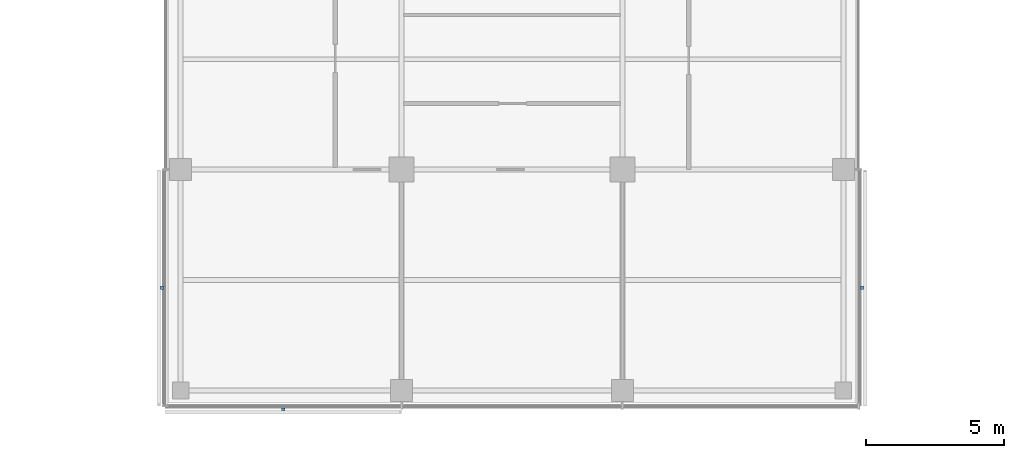
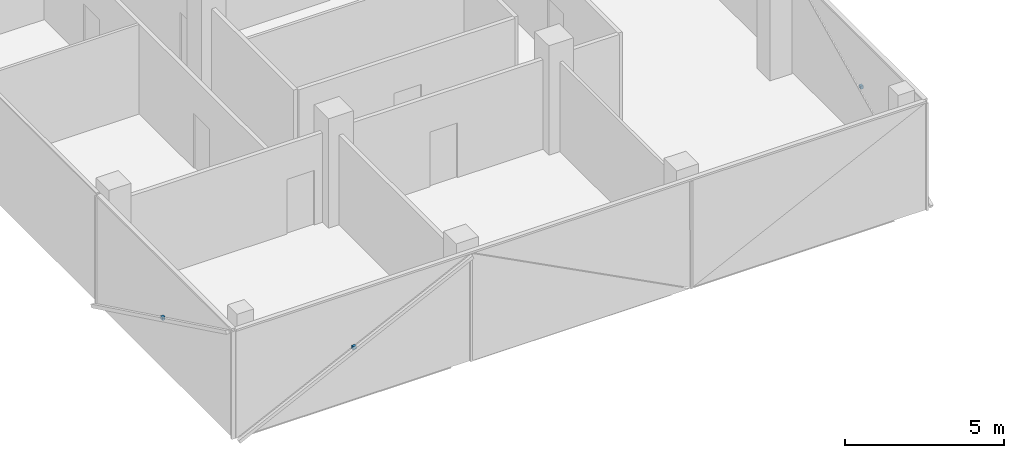
# One storey, part 13 of 15: 3 discrete accessories.
"""IFC4 building model written with IfcOpenShell, lengths in metres."""

from ifc_helpers import new_model, si_unit, direction, frame, origin, origin_2d, place, context, subcontext, project, spatial, rectangle, extrude, material, type_object, element, save


model = new_model("IFC4")

# Units and contexts
model_context = context("Model", 3, precision=1e-05, world=origin(), true_north=direction((0.0, 1.0)))
body_context = subcontext(model_context, "Body", "Model", "MODEL_VIEW")
ifc_project = project(units=[si_unit("LENGTHUNIT", "METRE"), si_unit("AREAUNIT", "SQUARE_METRE"), si_unit("VOLUMEUNIT", "CUBIC_METRE"), si_unit("PLANEANGLEUNIT", "RADIAN"), si_unit("MASSUNIT", "GRAM", prefix="KILO")], contexts=[model_context])

# Site, building, storey
site_placement = place(None, origin())
site = spatial("IfcSite", under=ifc_project, at=site_placement, CompositionType="ELEMENT")
building_placement = place(site_placement, origin())
building = spatial("IfcBuilding", under=site, at=building_placement, Name="Crosswind Convention Tower", CompositionType="ELEMENT")
storey_placement = place(building_placement, frame((0.0, 0.0, 195.699951171875)))
storey = spatial("IfcBuildingStorey", under=building, at=storey_placement, Name="L41", CompositionType="ELEMENT", Elevation=195.699951171875)

# Discrete accessories
ifc_material = material(Name="Stainless steel", Category="steel")
discrete_accessory_type = type_object("IfcDiscreteAccessoryType", Name="BAGUETTE BRACKET BK3", PredefinedType="BRACKET", material=ifc_material)
for number, where, z_axis, x_axis, name in (
    (1, (112.323974609375, 75.719970703125, 1.705078125), (0.0, 0.0, 1.0), (0.0, -1.0, 0.0), "BK3 baguette bracket"),
    (2, (116.719970703125, 71.323974609375, 1.705078125), (0.0, 0.0, 1.0), (1.0, 0.0, 0.0), "BK3 baguette bracket"),
    (3, (137.676025390625, 75.719970703125, 1.705078125), (0.0, 0.0, 1.0), (0.0, 1.0, 0.0), "BK3 baguette bracket"),
):
    element("IfcDiscreteAccessory", number, at=place(storey_placement, frame(where, z_axis=z_axis, x_axis=x_axis)), inside=storey, type_object=discrete_accessory_type, Name=name, PredefinedType="BRACKET", context=body_context, shape_type="SweptSolid", body=[
        extrude(rectangle(XDim=0.1201171875, YDim=0.10009765625, at=origin_2d()), origin(), (0.0, 0.0, 1.0), 0.1201171875),
    ])

save(model, "model.ifc")
